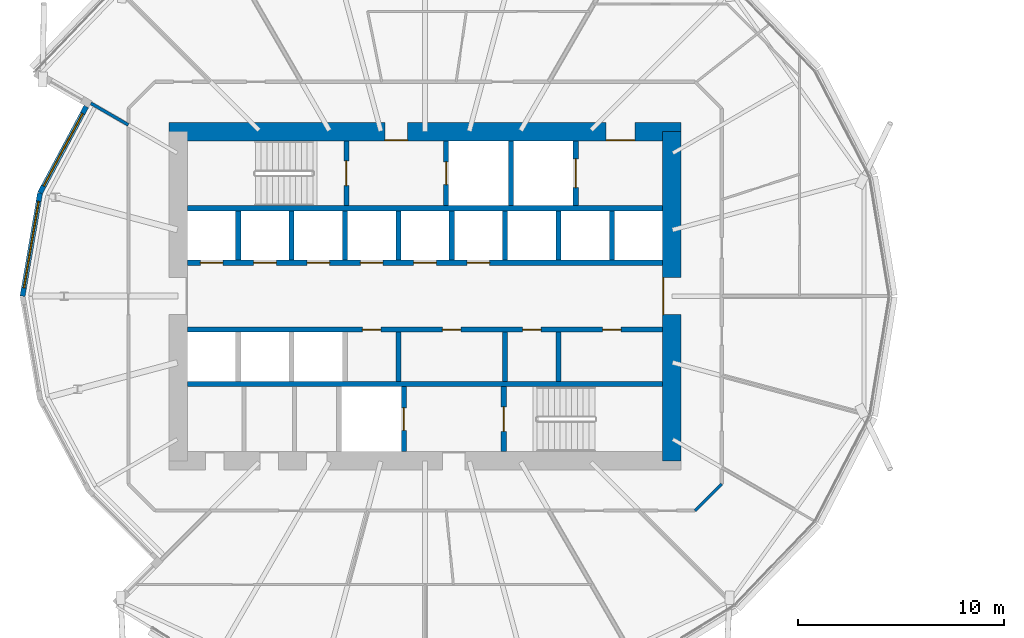
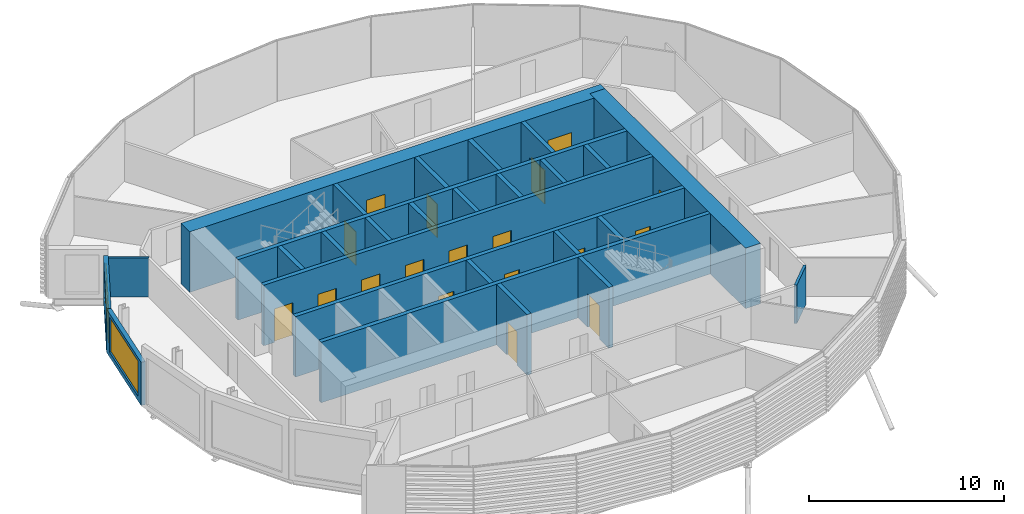
# One storey, part 21 of 38: 27 walls, 18 doors, 2 windows, 20 openings.
"""IFC4 building model written with IfcOpenShell, lengths in metres."""

from ifc_helpers import new_model, si_unit, direction, frame, frame_2d, origin, place, context, subcontext, project, spatial, rectangle, extrude, material, layer, layer_set, type_object, element, fill, save


model = new_model("IFC4")

# Units and contexts
model_context = context("Model", 3, precision=1e-05, world=origin(), true_north=direction((0.0, 1.0)))
body_context = subcontext(model_context, "Body", "Model", "MODEL_VIEW")
ifc_project = project(units=[si_unit("LENGTHUNIT", "METRE"), si_unit("AREAUNIT", "SQUARE_METRE"), si_unit("VOLUMEUNIT", "CUBIC_METRE"), si_unit("PLANEANGLEUNIT", "RADIAN"), si_unit("MASSUNIT", "GRAM", prefix="KILO")], contexts=[model_context])

# Site, building, storey
site_placement = place(None, origin())
site = spatial("IfcSite", under=ifc_project, at=site_placement, CompositionType="ELEMENT")
building_placement = place(site_placement, origin())
building = spatial("IfcBuilding", under=site, at=building_placement, Name="Rimbun Link Towers", CompositionType="ELEMENT")
storey_placement = place(building_placement, frame((0.0, 0.0, 49.0)))
storey = spatial("IfcBuildingStorey", under=building, at=storey_placement, Name="L11", CompositionType="ELEMENT", Elevation=49.0)

# Wall, opening, window
ifc_material_1 = material(Name="Dark enamelled glass spandrel on insulated aluminium backpan", Category="aluminium")
ifc_layer_1 = layer(ifc_material_1, 0.25)
ifc_layer_set_1 = layer_set([ifc_layer_1], Name="CS dark enamelled spandrel wall 250")
wall_type_1 = type_object("IfcWallType", Name="CS dark enamelled spandrel wall 250", PredefinedType="STANDARD", material=ifc_layer_set_1)
wall_1_placement = place(storey_placement, frame((-50.4658203125, 5.023681640625, 0.0), z_axis=(0.0, 0.0, 1.0), x_axis=(0.471684712183, 0.881767277853, 0.0)))
wall_1 = element("IfcWall", 1, at=wall_1_placement, inside=storey, type_object=wall_type_1, Name="Crease spandrel wall", PredefinedType="STANDARD", context=body_context, shape_type="SweptSolid", body=[
    extrude(rectangle(XDim=4.759765625, YDim=0.25, at=frame_2d((2.3798828125, 0.0))), origin(), (0.0, 0.0, 1.0), 2.711669921875),
])
opening_1_placement = place(wall_1_placement, frame((0.3798828125, 0.0, 0.300048828125)))
opening_1 = element("IfcOpeningElement", 2, at=opening_1_placement, cuts=wall_1, Name="Opening WR40H220", PredefinedType="OPENING", context=body_context, shape_type="SweptSolid", body=[
    extrude(rectangle(XDim=4.0, YDim=2.199951171875, at=frame_2d((2.0, 1.10009765625))), frame((0.0, 0.135009765625, 0.0), z_axis=(0.0, -1.0, 0.0), x_axis=(1.0, 0.0, 0.0)), (0.0, 0.0, 1.0), 0.27001953125),
])
ifc_material_2 = material(Name="Aluminium framed fixed window, dark tinted low-e glass", Category="aluminium")
window_type_1 = type_object("IfcWindowType", Name="WR ribbon window 4000X2200", PartitioningType="SINGLE_PANEL", PredefinedType="WINDOW", material=ifc_material_2)
window_1_placement = place(opening_1_placement, origin())
window_1 = element("IfcWindow", 3, at=window_1_placement, inside=storey, type_object=window_type_1, Name="Crease ribbon window", OverallHeight=2.199951171875, OverallWidth=4.0, PartitioningType="SINGLE_PANEL", PredefinedType="WINDOW", context=body_context, shape_type="SweptSolid", body=[
    extrude(rectangle(XDim=4.0, YDim=2.199951171875, at=frame_2d((2.0, 1.10009765625))), frame((0.0, 0.030029296875, 0.0), z_axis=(0.0, -1.0, 0.0), x_axis=(1.0, 0.0, 0.0)), (0.0, 0.0, 1.0), 0.06005859375),
])
fill(opening_1, window_1)

wall_2_placement = place(storey_placement, frame((-51.318603515625, 0.0, 0.0), z_axis=(0.0, 0.0, 1.0), x_axis=(0.167358464332, 0.985896112385, 0.0)))
wall_2 = element("IfcWall", 4, at=wall_2_placement, inside=storey, type_object=wall_type_1, Name="Crease spandrel wall", PredefinedType="STANDARD", context=body_context, shape_type="SweptSolid", body=[
    extrude(rectangle(XDim=5.095458984375, YDim=0.25, at=frame_2d((2.5478515625, 0.0))), origin(), (0.0, 0.0, 1.0), 2.711669921875),
])
opening_2_placement = place(wall_2_placement, frame((0.4228515625, 0.0, 0.300048828125)))
opening_2 = element("IfcOpeningElement", 5, at=opening_2_placement, cuts=wall_2, Name="Opening WR42H220", PredefinedType="OPENING", context=body_context, shape_type="SweptSolid", body=[
    extrude(rectangle(XDim=4.25, YDim=2.199951171875, at=frame_2d((2.125, 1.10009765625))), frame((0.0, 0.135009765625, 0.0), z_axis=(0.0, -1.0, 0.0), x_axis=(1.0, 0.0, 0.0)), (0.0, 0.0, 1.0), 0.27001953125),
])
ifc_material_3 = material(Name="Aluminium framed fixed window, dark tinted low-e glass", Category="aluminium")
window_type_2 = type_object("IfcWindowType", Name="WR ribbon window 4250X2200", PartitioningType="SINGLE_PANEL", PredefinedType="WINDOW", material=ifc_material_3)
window_2_placement = place(opening_2_placement, origin())
window_2 = element("IfcWindow", 6, at=window_2_placement, inside=storey, type_object=window_type_2, Name="Crease ribbon window", OverallHeight=2.199951171875, OverallWidth=4.25, PartitioningType="SINGLE_PANEL", PredefinedType="WINDOW", context=body_context, shape_type="SweptSolid", body=[
    extrude(rectangle(XDim=4.25, YDim=2.199951171875, at=frame_2d((2.125, 1.10009765625))), frame((0.0, 0.030029296875, 0.0), z_axis=(0.0, -1.0, 0.0), x_axis=(1.0, 0.0, 0.0)), (0.0, 0.0, 1.0), 0.06005859375),
])
fill(opening_2, window_2)

# Wall, openings, doors
ifc_material_4 = material(Name="Concrete C60/75", Category="concrete")
ifc_layer_2 = layer(ifc_material_4, 0.89990234375)
ifc_layer_set_2 = layer_set([ifc_layer_2], Name="Core shear wall 900")
wall_type_2 = type_object("IfcWallType", Name="Core shear wall 900", PredefinedType="SHEAR", material=ifc_layer_set_2)
wall_3_placement = place(storey_placement, frame((-44.199951171875, 8.0, 0.0), z_axis=(0.0, 0.0, 1.0), x_axis=(1.0, 0.0, 0.0)))
wall_3 = element("IfcWall", 7, at=wall_3_placement, inside=storey, type_object=wall_type_2, Name="L11 T1 core wall N", PredefinedType="SHEAR", context=body_context, shape_type="SweptSolid", body=[
    extrude(rectangle(XDim=24.89990234375, YDim=0.89990234375, at=frame_2d((12.449951171875, 0.0))), origin(), (0.0, 0.0, 1.0), 3.800048828125),
])
opening_3_placement = place(wall_3_placement, frame((10.5, 0.0, 0.0)))
opening_3 = element("IfcOpeningElement", 8, at=opening_3_placement, cuts=wall_3, Name="Opening C1DCF01N", PredefinedType="OPENING", context=body_context, shape_type="SweptSolid", body=[
    extrude(rectangle(XDim=1.10009765625, YDim=2.10009765625, at=frame_2d((0.550048828125, 1.050048828125))), frame((0.0, 0.4599609375, 0.0), z_axis=(0.0, -1.0, 0.0), x_axis=(1.0, 0.0, 0.0)), (0.0, 0.0, 1.0), 0.919921875),
])
opening_4_placement = place(wall_3_placement, frame((21.25, 0.0, 0.0)))
opening_4 = element("IfcOpeningElement", 9, at=opening_4_placement, cuts=wall_3, Name="Opening C1DSL02N", PredefinedType="OPENING", context=body_context, shape_type="SweptSolid", body=[
    extrude(rectangle(XDim=1.39990234375, YDim=2.10009765625, at=frame_2d((0.699951171875, 1.050048828125))), frame((0.0, 0.4599609375, 0.0), z_axis=(0.0, -1.0, 0.0), x_axis=(1.0, 0.0, 0.0)), (0.0, 0.0, 1.0), 0.919921875),
])
ifc_material_5 = material(Name="Steel fire door set", Category="steel")
door_type_1 = type_object("IfcDoorType", Name="Core fire door single", OperationType="SINGLE_SWING_LEFT", PredefinedType="DOOR", material=ifc_material_5)
door_1_placement = place(opening_3_placement, origin())
door_1 = element("IfcDoor", 10, at=door_1_placement, inside=storey, type_object=door_type_1, Name="L11 T1 firefighting lobby n door", OperationType="SINGLE_SWING_LEFT", OverallHeight=2.10009765625, OverallWidth=1.10009765625, PredefinedType="DOOR", context=body_context, shape_type="SweptSolid", body=[
    extrude(rectangle(XDim=1.10009765625, YDim=2.10009765625, at=frame_2d((0.550048828125, 1.050048828125))), frame((0.0, -0.39990234375, 0.0), z_axis=(0.0, -1.0, 0.0), x_axis=(1.0, 0.0, 0.0)), (0.0, 0.0, 1.0), 0.050048828125),
])
fill(opening_3, door_1)
ifc_material_6 = material(Name="Steel fire door set", Category="steel")
door_type_2 = type_object("IfcDoorType", Name="Service lobby door double", OperationType="DOUBLE_DOOR_SINGLE_SWING", PredefinedType="DOOR", material=ifc_material_6)
door_2_placement = place(opening_4_placement, origin())
door_2 = element("IfcDoor", 11, at=door_2_placement, inside=storey, type_object=door_type_2, Name="L11 T1 service lobby door", OperationType="DOUBLE_DOOR_SINGLE_SWING", OverallHeight=2.10009765625, OverallWidth=1.39990234375, PredefinedType="DOOR", context=body_context, shape_type="SweptSolid", body=[
    extrude(rectangle(XDim=1.39990234375, YDim=2.10009765625, at=frame_2d((0.699951171875, 1.050048828125))), frame((0.0, -0.39990234375, 0.0), z_axis=(0.0, -1.0, 0.0), x_axis=(1.0, 0.0, 0.0)), (0.0, 0.0, 1.0), 0.050048828125),
])
fill(opening_4, door_2)

# Wall, opening, door
wall_4_placement = place(storey_placement, frame((-19.75, -8.0, 0.0), z_axis=(0.0, 0.0, 1.0), x_axis=(0.0, 1.0, 0.0)))
wall_4 = element("IfcWall", 12, at=wall_4_placement, inside=storey, type_object=wall_type_2, Name="L11 T1 core wall E", PredefinedType="SHEAR", context=body_context, shape_type="SweptSolid", body=[
    extrude(rectangle(XDim=16.0, YDim=0.89990234375, at=frame_2d((8.0, 0.0))), origin(), (0.0, 0.0, 1.0), 3.800048828125),
])
opening_5_placement = place(wall_4_placement, frame((7.10009765625, 0.0, 0.0)))
opening_5 = element("IfcOpeningElement", 13, at=opening_5_placement, cuts=wall_4, Name="Opening C1DCL01E", PredefinedType="OPENING", context=body_context, shape_type="SweptSolid", body=[
    extrude(rectangle(XDim=1.800048828125, YDim=2.10009765625, at=frame_2d((0.89990234375, 1.050048828125))), frame((0.0, 0.4599609375, 0.0), z_axis=(0.0, -1.0, 0.0), x_axis=(1.0, 0.0, 0.0)), (0.0, 0.0, 1.0), 0.919921875),
])
ifc_material_7 = material(Name="Steel fire door set", Category="steel")
door_type_3 = type_object("IfcDoorType", Name="Core lobby door double", OperationType="DOUBLE_DOOR_SINGLE_SWING", PredefinedType="DOOR", material=ifc_material_7)
door_3_placement = place(opening_5_placement, origin())
door_3 = element("IfcDoor", 14, at=door_3_placement, inside=storey, type_object=door_type_3, Name="L11 T1 lift lobby door", OperationType="DOUBLE_DOOR_SINGLE_SWING", OverallHeight=2.10009765625, OverallWidth=1.800048828125, PredefinedType="DOOR", context=body_context, shape_type="SweptSolid", body=[
    extrude(rectangle(XDim=1.800048828125, YDim=2.10009765625, at=frame_2d((0.89990234375, 1.050048828125))), frame((0.0, 0.4501953125, 0.0), z_axis=(0.0, -1.0, 0.0), x_axis=(1.0, 0.0, 0.0)), (0.0, 0.0, 1.0), 0.050048828125),
])
fill(opening_5, door_3)

# Walls
ifc_material_8 = material(Name="Plasterboard on steel stud, mineral wool", Category="steel")
ifc_layer_3 = layer(ifc_material_8, 0.14990234375)
ifc_layer_set_3 = layer_set([ifc_layer_3], Name="Corridor wall EI 30 150 mm")
wall_type_3 = type_object("IfcWallType", Name="Corridor wall EI 30 150 mm", PredefinedType="PARTITIONING", material=ifc_layer_set_3)
wall_5_placement = place(storey_placement, frame((-18.623291015625, -10.425048828125, 0.0), z_axis=(0.0, 0.0, 1.0), x_axis=(0.707106781187, 0.707106781187, 0.0)))
element("IfcWall", 15, at=wall_5_placement, inside=storey, type_object=wall_type_3, Name="Corridor wall EI 30 150 mm", PredefinedType="PARTITIONING", context=body_context, shape_type="SweptSolid", body=[
    extrude(rectangle(XDim=1.836181640625, YDim=0.14990234375, at=frame_2d((0.91796875, 0.0))), origin(), (0.0, 0.0, 1.0), 2.419921875),
])
ifc_material_9 = material(Name="Concrete C60/75", Category="concrete")
ifc_layer_4 = layer(ifc_material_9, 0.25)
ifc_layer_set_4 = layer_set([ifc_layer_4], Name="Shaft wall 250")
wall_type_4 = type_object("IfcWallType", Name="Shaft wall 250", PredefinedType="SHEAR", material=ifc_layer_set_4)
for number, where, z_axis, x_axis, name in (
    (16, (-43.300048828125, 4.27490234375, 0.0), (0.0, 0.0, 1.0), (1.0, 0.0, 0.0), "L11 T1 core wall BN"),
    (17, (-43.300048828125, -4.27490234375, 0.0), (0.0, 0.0, 1.0), (1.0, 0.0, 0.0), "L11 T1 core wall BS"),
):
    element("IfcWall", number, at=place(storey_placement, frame(where, z_axis=z_axis, x_axis=x_axis)), inside=storey, type_object=wall_type_4, Name=name, PredefinedType="SHEAR", context=body_context, shape_type="SweptSolid", body=[
        extrude(rectangle(XDim=23.10009765625, YDim=0.25, at=frame_2d((11.550048828125, 0.0))), origin(), (0.0, 0.0, 1.0), 3.800048828125),
    ])

# Wall, openings, doors
wall_6_placement = place(storey_placement, frame((-43.300048828125, 1.625, 0.0), z_axis=(0.0, 0.0, 1.0), x_axis=(1.0, 0.0, 0.0)))
wall_6 = element("IfcWall", 18, at=wall_6_placement, inside=storey, type_object=wall_type_4, Name="L11 T1 core wall FN", PredefinedType="SHEAR", context=body_context, shape_type="SweptSolid", body=[
    extrude(rectangle(XDim=23.10009765625, YDim=0.25, at=frame_2d((11.550048828125, 0.0))), origin(), (0.0, 0.0, 1.0), 3.800048828125),
])
opening_6_placement = place(wall_6_placement, frame((0.622314453125, 0.0, 0.0)))
opening_6 = element("IfcOpeningElement", 19, at=opening_6_placement, cuts=wall_6, Name="Opening LD-T1-LR1", PredefinedType="OPENING", context=body_context, shape_type="SweptSolid", body=[
    extrude(rectangle(XDim=1.10009765625, YDim=2.10009765625, at=frame_2d((0.550048828125, 1.050048828125))), frame((0.0, 0.135009765625, 0.0), z_axis=(0.0, -1.0, 0.0), x_axis=(1.0, 0.0, 0.0)), (0.0, 0.0, 1.0), 0.27001953125),
])
opening_7_placement = place(wall_6_placement, frame((3.216796875, 0.0, 0.0)))
opening_7 = element("IfcOpeningElement", 20, at=opening_7_placement, cuts=wall_6, Name="Opening LD-T1-LR2", PredefinedType="OPENING", context=body_context, shape_type="SweptSolid", body=[
    extrude(rectangle(XDim=1.10009765625, YDim=2.10009765625, at=frame_2d((0.550048828125, 1.050048828125))), frame((0.0, 0.135009765625, 0.0), z_axis=(0.0, -1.0, 0.0), x_axis=(1.0, 0.0, 0.0)), (0.0, 0.0, 1.0), 0.27001953125),
])
opening_8_placement = place(wall_6_placement, frame((5.81103515625, 0.0, 0.0)))
opening_8 = element("IfcOpeningElement", 21, at=opening_8_placement, cuts=wall_6, Name="Opening LD-T1-LR3", PredefinedType="OPENING", context=body_context, shape_type="SweptSolid", body=[
    extrude(rectangle(XDim=1.10009765625, YDim=2.10009765625, at=frame_2d((0.550048828125, 1.050048828125))), frame((0.0, 0.135009765625, 0.0), z_axis=(0.0, -1.0, 0.0), x_axis=(1.0, 0.0, 0.0)), (0.0, 0.0, 1.0), 0.27001953125),
])
opening_9_placement = place(wall_6_placement, frame((8.405517578125, 0.0, 0.0)))
opening_9 = element("IfcOpeningElement", 22, at=opening_9_placement, cuts=wall_6, Name="Opening LD-T1-LR4", PredefinedType="OPENING", context=body_context, shape_type="SweptSolid", body=[
    extrude(rectangle(XDim=1.10009765625, YDim=2.10009765625, at=frame_2d((0.550048828125, 1.050048828125))), frame((0.0, 0.135009765625, 0.0), z_axis=(0.0, -1.0, 0.0), x_axis=(1.0, 0.0, 0.0)), (0.0, 0.0, 1.0), 0.27001953125),
])
opening_10_placement = place(wall_6_placement, frame((11.0, 0.0, 0.0)))
opening_10 = element("IfcOpeningElement", 23, at=opening_10_placement, cuts=wall_6, Name="Opening LD-T1-LR5", PredefinedType="OPENING", context=body_context, shape_type="SweptSolid", body=[
    extrude(rectangle(XDim=1.10009765625, YDim=2.10009765625, at=frame_2d((0.550048828125, 1.050048828125))), frame((0.0, 0.135009765625, 0.0), z_axis=(0.0, -1.0, 0.0), x_axis=(1.0, 0.0, 0.0)), (0.0, 0.0, 1.0), 0.27001953125),
])
opening_11_placement = place(wall_6_placement, frame((13.594482421875, 0.0, 0.0)))
opening_11 = element("IfcOpeningElement", 24, at=opening_11_placement, cuts=wall_6, Name="Opening LD-T1-LR6", PredefinedType="OPENING", context=body_context, shape_type="SweptSolid", body=[
    extrude(rectangle(XDim=1.10009765625, YDim=2.10009765625, at=frame_2d((0.550048828125, 1.050048828125))), frame((0.0, 0.135009765625, 0.0), z_axis=(0.0, -1.0, 0.0), x_axis=(1.0, 0.0, 0.0)), (0.0, 0.0, 1.0), 0.27001953125),
])
ifc_material_10 = material(Name="Stainless steel grade 316", Category="steel")
door_type_4 = type_object("IfcDoorType", Name="Lift landing door", OperationType="DOUBLE_DOOR_SLIDING", PredefinedType="DOOR", material=ifc_material_10)
door_4_placement = place(opening_6_placement, origin())
door_4 = element("IfcDoor", 25, at=door_4_placement, inside=storey, type_object=door_type_4, Name="L11 T1 lift LR1 landing door", OperationType="DOUBLE_DOOR_SLIDING", OverallHeight=2.10009765625, OverallWidth=1.10009765625, PredefinedType="DOOR", context=body_context, shape_type="SweptSolid", body=[
    extrude(rectangle(XDim=1.10009765625, YDim=2.10009765625, at=frame_2d((0.550048828125, 1.050048828125))), frame((0.0, 0.02490234375, 0.0), z_axis=(0.0, -1.0, 0.0), x_axis=(1.0, 0.0, 0.0)), (0.0, 0.0, 1.0), 0.050048828125),
])
fill(opening_6, door_4)
door_5_placement = place(opening_7_placement, origin())
door_5 = element("IfcDoor", 26, at=door_5_placement, inside=storey, type_object=door_type_4, Name="L11 T1 lift LR2 landing door", OperationType="DOUBLE_DOOR_SLIDING", OverallHeight=2.10009765625, OverallWidth=1.10009765625, PredefinedType="DOOR", context=body_context, shape_type="SweptSolid", body=[
    extrude(rectangle(XDim=1.10009765625, YDim=2.10009765625, at=frame_2d((0.550048828125, 1.050048828125))), frame((0.0, 0.02490234375, 0.0), z_axis=(0.0, -1.0, 0.0), x_axis=(1.0, 0.0, 0.0)), (0.0, 0.0, 1.0), 0.050048828125),
])
fill(opening_7, door_5)
door_6_placement = place(opening_8_placement, origin())
door_6 = element("IfcDoor", 27, at=door_6_placement, inside=storey, type_object=door_type_4, Name="L11 T1 lift LR3 landing door", OperationType="DOUBLE_DOOR_SLIDING", OverallHeight=2.10009765625, OverallWidth=1.10009765625, PredefinedType="DOOR", context=body_context, shape_type="SweptSolid", body=[
    extrude(rectangle(XDim=1.10009765625, YDim=2.10009765625, at=frame_2d((0.550048828125, 1.050048828125))), frame((0.0, 0.02490234375, 0.0), z_axis=(0.0, -1.0, 0.0), x_axis=(1.0, 0.0, 0.0)), (0.0, 0.0, 1.0), 0.050048828125),
])
fill(opening_8, door_6)
door_7_placement = place(opening_9_placement, origin())
door_7 = element("IfcDoor", 28, at=door_7_placement, inside=storey, type_object=door_type_4, Name="L11 T1 lift LR4 landing door", OperationType="DOUBLE_DOOR_SLIDING", OverallHeight=2.10009765625, OverallWidth=1.10009765625, PredefinedType="DOOR", context=body_context, shape_type="SweptSolid", body=[
    extrude(rectangle(XDim=1.10009765625, YDim=2.10009765625, at=frame_2d((0.550048828125, 1.050048828125))), frame((0.0, 0.02490234375, 0.0), z_axis=(0.0, -1.0, 0.0), x_axis=(1.0, 0.0, 0.0)), (0.0, 0.0, 1.0), 0.050048828125),
])
fill(opening_9, door_7)
door_8_placement = place(opening_10_placement, origin())
door_8 = element("IfcDoor", 29, at=door_8_placement, inside=storey, type_object=door_type_4, Name="L11 T1 lift LR5 landing door", OperationType="DOUBLE_DOOR_SLIDING", OverallHeight=2.10009765625, OverallWidth=1.10009765625, PredefinedType="DOOR", context=body_context, shape_type="SweptSolid", body=[
    extrude(rectangle(XDim=1.10009765625, YDim=2.10009765625, at=frame_2d((0.550048828125, 1.050048828125))), frame((0.0, 0.02490234375, 0.0), z_axis=(0.0, -1.0, 0.0), x_axis=(1.0, 0.0, 0.0)), (0.0, 0.0, 1.0), 0.050048828125),
])
fill(opening_10, door_8)
door_9_placement = place(opening_11_placement, origin())
door_9 = element("IfcDoor", 30, at=door_9_placement, inside=storey, type_object=door_type_4, Name="L11 T1 lift LR6 landing door", OperationType="DOUBLE_DOOR_SLIDING", OverallHeight=2.10009765625, OverallWidth=1.10009765625, PredefinedType="DOOR", context=body_context, shape_type="SweptSolid", body=[
    extrude(rectangle(XDim=1.10009765625, YDim=2.10009765625, at=frame_2d((0.550048828125, 1.050048828125))), frame((0.0, 0.02490234375, 0.0), z_axis=(0.0, -1.0, 0.0), x_axis=(1.0, 0.0, 0.0)), (0.0, 0.0, 1.0), 0.050048828125),
])
fill(opening_11, door_9)

wall_7_placement = place(storey_placement, frame((-43.300048828125, -1.625, 0.0), z_axis=(0.0, 0.0, 1.0), x_axis=(1.0, 0.0, 0.0)))
wall_7 = element("IfcWall", 31, at=wall_7_placement, inside=storey, type_object=wall_type_4, Name="L11 T1 core wall FS", PredefinedType="SHEAR", context=body_context, shape_type="SweptSolid", body=[
    extrude(rectangle(XDim=23.10009765625, YDim=0.25, at=frame_2d((11.550048828125, 0.0))), origin(), (0.0, 0.0, 1.0), 3.800048828125),
])
opening_12_placement = place(wall_7_placement, frame((8.505615234375, 0.0, 0.0)))
opening_12 = element("IfcOpeningElement", 32, at=opening_12_placement, cuts=wall_7, Name="Opening C1DRS01FS", PredefinedType="OPENING", context=body_context, shape_type="SweptSolid", body=[
    extrude(rectangle(XDim=0.89990234375, YDim=2.10009765625, at=frame_2d((0.449951171875, 1.050048828125))), frame((0.0, 0.135009765625, 0.0), z_axis=(0.0, -1.0, 0.0), x_axis=(1.0, 0.0, 0.0)), (0.0, 0.0, 1.0), 0.27001953125),
])
opening_13_placement = place(wall_7_placement, frame((12.397216796875, 0.0, 0.0)))
opening_13 = element("IfcOpeningElement", 33, at=opening_13_placement, cuts=wall_7, Name="Opening C1DRS02FS", PredefinedType="OPENING", context=body_context, shape_type="SweptSolid", body=[
    extrude(rectangle(XDim=0.89990234375, YDim=2.10009765625, at=frame_2d((0.449951171875, 1.050048828125))), frame((0.0, 0.135009765625, 0.0), z_axis=(0.0, -1.0, 0.0), x_axis=(1.0, 0.0, 0.0)), (0.0, 0.0, 1.0), 0.27001953125),
])
opening_14_placement = place(wall_7_placement, frame((16.288818359375, 0.0, 0.0)))
opening_14 = element("IfcOpeningElement", 34, at=opening_14_placement, cuts=wall_7, Name="Opening C1DRS03FS", PredefinedType="OPENING", context=body_context, shape_type="SweptSolid", body=[
    extrude(rectangle(XDim=0.89990234375, YDim=2.10009765625, at=frame_2d((0.449951171875, 1.050048828125))), frame((0.0, 0.135009765625, 0.0), z_axis=(0.0, -1.0, 0.0), x_axis=(1.0, 0.0, 0.0)), (0.0, 0.0, 1.0), 0.27001953125),
])
opening_15_placement = place(wall_7_placement, frame((20.1806640625, 0.0, 0.0)))
opening_15 = element("IfcOpeningElement", 35, at=opening_15_placement, cuts=wall_7, Name="Opening C1DRS04FS", PredefinedType="OPENING", context=body_context, shape_type="SweptSolid", body=[
    extrude(rectangle(XDim=0.89990234375, YDim=2.10009765625, at=frame_2d((0.449951171875, 1.050048828125))), frame((0.0, 0.135009765625, 0.0), z_axis=(0.0, -1.0, 0.0), x_axis=(1.0, 0.0, 0.0)), (0.0, 0.0, 1.0), 0.27001953125),
])
ifc_material_11 = material(Name="Steel fire door set", Category="steel")
door_type_5 = type_object("IfcDoorType", Name="Core riser door", OperationType="SINGLE_SWING_LEFT", PredefinedType="DOOR", material=ifc_material_11)
door_10_placement = place(opening_12_placement, origin())
door_10 = element("IfcDoor", 36, at=door_10_placement, inside=storey, type_object=door_type_5, Name="L11 T1 cleaner store door", OperationType="SINGLE_SWING_LEFT", OverallHeight=2.10009765625, OverallWidth=0.89990234375, PredefinedType="DOOR", context=body_context, shape_type="SweptSolid", body=[
    extrude(rectangle(XDim=0.89990234375, YDim=2.10009765625, at=frame_2d((0.449951171875, 1.050048828125))), frame((0.0, 0.02490234375, 0.0), z_axis=(0.0, -1.0, 0.0), x_axis=(1.0, 0.0, 0.0)), (0.0, 0.0, 1.0), 0.050048828125),
])
fill(opening_12, door_10)
door_11_placement = place(opening_13_placement, origin())
door_11 = element("IfcDoor", 37, at=door_11_placement, inside=storey, type_object=door_type_5, Name="L11 T1 staff lounge door", OperationType="SINGLE_SWING_LEFT", OverallHeight=2.10009765625, OverallWidth=0.89990234375, PredefinedType="DOOR", context=body_context, shape_type="SweptSolid", body=[
    extrude(rectangle(XDim=0.89990234375, YDim=2.10009765625, at=frame_2d((0.449951171875, 1.050048828125))), frame((0.0, 0.02490234375, 0.0), z_axis=(0.0, -1.0, 0.0), x_axis=(1.0, 0.0, 0.0)), (0.0, 0.0, 1.0), 0.050048828125),
])
fill(opening_13, door_11)
door_12_placement = place(opening_14_placement, origin())
door_12 = element("IfcDoor", 38, at=door_12_placement, inside=storey, type_object=door_type_5, Name="L11 T1 stationery store door", OperationType="SINGLE_SWING_LEFT", OverallHeight=2.10009765625, OverallWidth=0.89990234375, PredefinedType="DOOR", context=body_context, shape_type="SweptSolid", body=[
    extrude(rectangle(XDim=0.89990234375, YDim=2.10009765625, at=frame_2d((0.449951171875, 1.050048828125))), frame((0.0, 0.02490234375, 0.0), z_axis=(0.0, -1.0, 0.0), x_axis=(1.0, 0.0, 0.0)), (0.0, 0.0, 1.0), 0.050048828125),
])
fill(opening_14, door_12)
door_13_placement = place(opening_15_placement, origin())
door_13 = element("IfcDoor", 39, at=door_13_placement, inside=storey, type_object=door_type_5, Name="L11 T1 server room door", OperationType="SINGLE_SWING_LEFT", OverallHeight=2.10009765625, OverallWidth=0.89990234375, PredefinedType="DOOR", context=body_context, shape_type="SweptSolid", body=[
    extrude(rectangle(XDim=0.89990234375, YDim=2.10009765625, at=frame_2d((0.449951171875, 1.050048828125))), frame((0.0, 0.02490234375, 0.0), z_axis=(0.0, -1.0, 0.0), x_axis=(1.0, 0.0, 0.0)), (0.0, 0.0, 1.0), 0.050048828125),
])
fill(opening_15, door_13)

# Walls
for number, where, z_axis, x_axis, name in (
    (40, (-40.83056640625, 1.75, 0.0), (0.0, 0.0, 1.0), (0.0, 1.0, 0.0), "L11 T1 core wall DN0"),
    (41, (-38.236083984375, 1.75, 0.0), (0.0, 0.0, 1.0), (0.0, 1.0, 0.0), "L11 T1 core wall DN1"),
    (42, (-35.6416015625, 1.75, 0.0), (0.0, 0.0, 1.0), (0.0, 1.0, 0.0), "L11 T1 core wall DN2"),
    (43, (-33.047119140625, 1.75, 0.0), (0.0, 0.0, 1.0), (0.0, 1.0, 0.0), "L11 T1 core wall DN3"),
    (44, (-30.452880859375, 1.75, 0.0), (0.0, 0.0, 1.0), (0.0, 1.0, 0.0), "L11 T1 core wall DN4"),
    (45, (-27.8583984375, 1.75, 0.0), (0.0, 0.0, 1.0), (0.0, 1.0, 0.0), "L11 T1 core wall DN5"),
    (46, (-25.263916015625, 1.75, 0.0), (0.0, 0.0, 1.0), (0.0, 1.0, 0.0), "L11 T1 core wall DN6"),
    (47, (-22.66943359375, 1.75, 0.0), (0.0, 0.0, 1.0), (0.0, 1.0, 0.0), "L11 T1 core wall DN7"),
    (48, (-33.047119140625, -4.14990234375, 0.0), (0.0, 0.0, 1.0), (0.0, 1.0, 0.0), "L11 T1 core wall DS3"),
    (49, (-27.8583984375, -4.14990234375, 0.0), (0.0, 0.0, 1.0), (0.0, 1.0, 0.0), "L11 T1 core wall DS5"),
    (50, (-25.263916015625, -4.14990234375, 0.0), (0.0, 0.0, 1.0), (0.0, 1.0, 0.0), "L11 T1 core wall DS6"),
):
    element("IfcWall", number, at=place(storey_placement, frame(where, z_axis=z_axis, x_axis=x_axis)), inside=storey, type_object=wall_type_4, Name=name, PredefinedType="SHEAR", context=body_context, shape_type="SweptSolid", body=[
        extrude(rectangle(XDim=2.39990234375, YDim=0.25, at=frame_2d((1.199951171875, 0.0))), origin(), (0.0, 0.0, 1.0), 3.800048828125),
    ])

# Wall, opening, door
wall_8_placement = place(storey_placement, frame((-35.574951171875, 4.39990234375, 0.0), z_axis=(0.0, 0.0, 1.0), x_axis=(0.0, 1.0, 0.0)))
wall_8 = element("IfcWall", 51, at=wall_8_placement, inside=storey, type_object=wall_type_4, Name="L11 T1 core wall A1", PredefinedType="SHEAR", context=body_context, shape_type="SweptSolid", body=[
    extrude(rectangle(XDim=3.150146484375, YDim=0.25, at=frame_2d((1.5751953125, 0.0))), origin(), (0.0, 0.0, 1.0), 3.800048828125),
])
opening_16_placement = place(wall_8_placement, frame((0.97509765625, 0.0, 0.0)))
opening_16 = element("IfcOpeningElement", 52, at=opening_16_placement, cuts=wall_8, Name="Opening C1DST01A1", PredefinedType="OPENING", context=body_context, shape_type="SweptSolid", body=[
    extrude(rectangle(XDim=1.199951171875, YDim=2.10009765625, at=frame_2d((0.60009765625, 1.050048828125))), frame((0.0, 0.135009765625, 0.0), z_axis=(0.0, -1.0, 0.0), x_axis=(1.0, 0.0, 0.0)), (0.0, 0.0, 1.0), 0.27001953125),
])
ifc_material_12 = material(Name="Steel fire door set", Category="steel")
door_type_6 = type_object("IfcDoorType", Name="Stair door", OperationType="SINGLE_SWING_LEFT", PredefinedType="DOOR", material=ifc_material_12)
door_14_placement = place(opening_16_placement, origin())
door_14 = element("IfcDoor", 53, at=door_14_placement, inside=storey, type_object=door_type_6, Name="L11 T1 stair a door", OperationType="SINGLE_SWING_LEFT", OverallHeight=2.10009765625, OverallWidth=1.199951171875, PredefinedType="DOOR", context=body_context, shape_type="SweptSolid", body=[
    extrude(rectangle(XDim=1.199951171875, YDim=2.10009765625, at=frame_2d((0.60009765625, 1.050048828125))), frame((0.0, 0.02490234375, 0.0), z_axis=(0.0, -1.0, 0.0), x_axis=(1.0, 0.0, 0.0)), (0.0, 0.0, 1.0), 0.050048828125),
])
fill(opening_16, door_14)

wall_9_placement = place(storey_placement, frame((-30.72509765625, 4.39990234375, 0.0), z_axis=(0.0, 0.0, 1.0), x_axis=(0.0, 1.0, 0.0)))
wall_9 = element("IfcWall", 54, at=wall_9_placement, inside=storey, type_object=wall_type_4, Name="L11 T1 core wall A2", PredefinedType="SHEAR", context=body_context, shape_type="SweptSolid", body=[
    extrude(rectangle(XDim=3.150146484375, YDim=0.25, at=frame_2d((1.5751953125, 0.0))), origin(), (0.0, 0.0, 1.0), 3.800048828125),
])
opening_17_placement = place(wall_9_placement, frame((1.02490234375, 0.0, 0.0)))
opening_17 = element("IfcOpeningElement", 55, at=opening_17_placement, cuts=wall_9, Name="Opening LD-T1-FF1", PredefinedType="OPENING", context=body_context, shape_type="SweptSolid", body=[
    extrude(rectangle(XDim=1.10009765625, YDim=2.10009765625, at=frame_2d((0.550048828125, 1.050048828125))), frame((0.0, 0.135009765625, 0.0), z_axis=(0.0, -1.0, 0.0), x_axis=(1.0, 0.0, 0.0)), (0.0, 0.0, 1.0), 0.27001953125),
])
door_15_placement = place(opening_17_placement, origin())
door_15 = element("IfcDoor", 56, at=door_15_placement, inside=storey, type_object=door_type_4, Name="L11 T1 lift FF1 landing door", OperationType="DOUBLE_DOOR_SLIDING", OverallHeight=2.10009765625, OverallWidth=1.10009765625, PredefinedType="DOOR", context=body_context, shape_type="SweptSolid", body=[
    extrude(rectangle(XDim=1.10009765625, YDim=2.10009765625, at=frame_2d((0.550048828125, 1.050048828125))), frame((0.0, 0.02490234375, 0.0), z_axis=(0.0, -1.0, 0.0), x_axis=(1.0, 0.0, 0.0)), (0.0, 0.0, 1.0), 0.050048828125),
])
fill(opening_17, door_15)

# Wall
wall_10_placement = place(storey_placement, frame((-27.574951171875, 4.39990234375, 0.0), z_axis=(0.0, 0.0, 1.0), x_axis=(0.0, 1.0, 0.0)))
element("IfcWall", 57, at=wall_10_placement, inside=storey, type_object=wall_type_4, Name="L11 T1 core wall A3", PredefinedType="SHEAR", context=body_context, shape_type="SweptSolid", body=[
    extrude(rectangle(XDim=3.150146484375, YDim=0.25, at=frame_2d((1.5751953125, 0.0))), origin(), (0.0, 0.0, 1.0), 3.800048828125),
])

# Wall, opening, door
wall_11_placement = place(storey_placement, frame((-24.425048828125, 4.39990234375, 0.0), z_axis=(0.0, 0.0, 1.0), x_axis=(0.0, 1.0, 0.0)))
wall_11 = element("IfcWall", 58, at=wall_11_placement, inside=storey, type_object=wall_type_4, Name="L11 T1 core wall A4", PredefinedType="SHEAR", context=body_context, shape_type="SweptSolid", body=[
    extrude(rectangle(XDim=3.150146484375, YDim=0.25, at=frame_2d((1.5751953125, 0.0))), origin(), (0.0, 0.0, 1.0), 3.800048828125),
])
opening_18_placement = place(wall_11_placement, frame((0.875, 0.0, 0.0)))
opening_18 = element("IfcOpeningElement", 59, at=opening_18_placement, cuts=wall_11, Name="Opening LD-T1-GL1", PredefinedType="OPENING", context=body_context, shape_type="SweptSolid", body=[
    extrude(rectangle(XDim=1.39990234375, YDim=2.10009765625, at=frame_2d((0.699951171875, 1.050048828125))), frame((0.0, 0.135009765625, 0.0), z_axis=(0.0, -1.0, 0.0), x_axis=(1.0, 0.0, 0.0)), (0.0, 0.0, 1.0), 0.27001953125),
])
ifc_material_13 = material(Name="Stainless steel grade 316", Category="steel")
door_type_7 = type_object("IfcDoorType", Name="Goods lift landing door", OperationType="DOUBLE_DOOR_SLIDING", PredefinedType="DOOR", material=ifc_material_13)
door_16_placement = place(opening_18_placement, origin())
door_16 = element("IfcDoor", 60, at=door_16_placement, inside=storey, type_object=door_type_7, Name="L11 T1 lift GL1 landing door", OperationType="DOUBLE_DOOR_SLIDING", OverallHeight=2.10009765625, OverallWidth=1.39990234375, PredefinedType="DOOR", context=body_context, shape_type="SweptSolid", body=[
    extrude(rectangle(XDim=1.39990234375, YDim=2.10009765625, at=frame_2d((0.699951171875, 1.050048828125))), frame((0.0, 0.02490234375, 0.0), z_axis=(0.0, -1.0, 0.0), x_axis=(1.0, 0.0, 0.0)), (0.0, 0.0, 1.0), 0.050048828125),
])
fill(opening_18, door_16)

wall_12_placement = place(storey_placement, frame((-27.925048828125, -4.39990234375, 0.0), z_axis=(0.0, 0.0, 1.0), x_axis=(0.0, -1.0, 0.0)))
wall_12 = element("IfcWall", 61, at=wall_12_placement, inside=storey, type_object=wall_type_4, Name="L11 T1 core wall B1", PredefinedType="SHEAR", context=body_context, shape_type="SweptSolid", body=[
    extrude(rectangle(XDim=3.150146484375, YDim=0.25, at=frame_2d((1.5751953125, 0.0))), origin(), (0.0, 0.0, 1.0), 3.800048828125),
])
opening_19_placement = place(wall_12_placement, frame((0.97509765625, 0.0, 0.0)))
opening_19 = element("IfcOpeningElement", 62, at=opening_19_placement, cuts=wall_12, Name="Opening C1DST01B1", PredefinedType="OPENING", context=body_context, shape_type="SweptSolid", body=[
    extrude(rectangle(XDim=1.199951171875, YDim=2.10009765625, at=frame_2d((0.60009765625, 1.050048828125))), frame((0.0, 0.135009765625, 0.0), z_axis=(0.0, -1.0, 0.0), x_axis=(1.0, 0.0, 0.0)), (0.0, 0.0, 1.0), 0.27001953125),
])
door_17_placement = place(opening_19_placement, origin())
door_17 = element("IfcDoor", 63, at=door_17_placement, inside=storey, type_object=door_type_6, Name="L11 T1 stair b door", OperationType="SINGLE_SWING_RIGHT", OverallHeight=2.10009765625, OverallWidth=1.199951171875, PredefinedType="DOOR", context=body_context, shape_type="SweptSolid", body=[
    extrude(rectangle(XDim=1.199951171875, YDim=2.10009765625, at=frame_2d((0.60009765625, 1.050048828125))), frame((0.0, 0.02490234375, 0.0), z_axis=(0.0, -1.0, 0.0), x_axis=(1.0, 0.0, 0.0)), (0.0, 0.0, 1.0), 0.050048828125),
])
fill(opening_19, door_17)

wall_13_placement = place(storey_placement, frame((-32.77490234375, -4.39990234375, 0.0), z_axis=(0.0, 0.0, 1.0), x_axis=(0.0, -1.0, 0.0)))
wall_13 = element("IfcWall", 64, at=wall_13_placement, inside=storey, type_object=wall_type_4, Name="L11 T1 core wall B2", PredefinedType="SHEAR", context=body_context, shape_type="SweptSolid", body=[
    extrude(rectangle(XDim=3.150146484375, YDim=0.25, at=frame_2d((1.5751953125, 0.0))), origin(), (0.0, 0.0, 1.0), 3.800048828125),
])
opening_20_placement = place(wall_13_placement, frame((1.02490234375, 0.0, 0.0)))
opening_20 = element("IfcOpeningElement", 65, at=opening_20_placement, cuts=wall_13, Name="Opening LD-T1-FF2", PredefinedType="OPENING", context=body_context, shape_type="SweptSolid", body=[
    extrude(rectangle(XDim=1.10009765625, YDim=2.10009765625, at=frame_2d((0.550048828125, 1.050048828125))), frame((0.0, 0.135009765625, 0.0), z_axis=(0.0, -1.0, 0.0), x_axis=(1.0, 0.0, 0.0)), (0.0, 0.0, 1.0), 0.27001953125),
])
door_18_placement = place(opening_20_placement, origin())
door_18 = element("IfcDoor", 66, at=door_18_placement, inside=storey, type_object=door_type_4, Name="L11 T1 lift FF2 landing door", OperationType="DOUBLE_DOOR_SLIDING", OverallHeight=2.10009765625, OverallWidth=1.10009765625, PredefinedType="DOOR", context=body_context, shape_type="SweptSolid", body=[
    extrude(rectangle(XDim=1.10009765625, YDim=2.10009765625, at=frame_2d((0.550048828125, 1.050048828125))), frame((0.0, 0.02490234375, 0.0), z_axis=(0.0, -1.0, 0.0), x_axis=(1.0, 0.0, 0.0)), (0.0, 0.0, 1.0), 0.050048828125),
])
fill(opening_20, door_18)

# Wall
ifc_material_14 = material(Name="Plasterboard on steel stud, mineral wool", Category="steel")
ifc_layer_5 = layer(ifc_material_14, 0.14990234375)
ifc_layer_set_5 = layer_set([ifc_layer_5], Name="Tenancy separation wall EI 60 150 mm")
wall_type_5 = type_object("IfcWallType", Name="Tenancy separation wall EI 60 150 mm", PredefinedType="PARTITIONING", material=ifc_layer_set_5)
wall_14_placement = place(storey_placement, frame((-46.175048828125, 8.328369140625, 0.0), z_axis=(0.0, 0.0, 1.0), x_axis=(-0.866046247233, 0.49996389635, 0.0)))
element("IfcWall", 67, at=wall_14_placement, inside=storey, type_object=wall_type_5, Name="Tenancy separation wall EI 60 150 mm", PredefinedType="PARTITIONING", context=body_context, shape_type="SweptSolid", body=[
    extrude(rectangle(XDim=2.100830078125, YDim=0.14990234375, at=frame_2d((1.05029296875, 0.0))), origin(), (0.0, 0.0, 1.0), 2.419921875),
])

save(model, "model.ifc")
